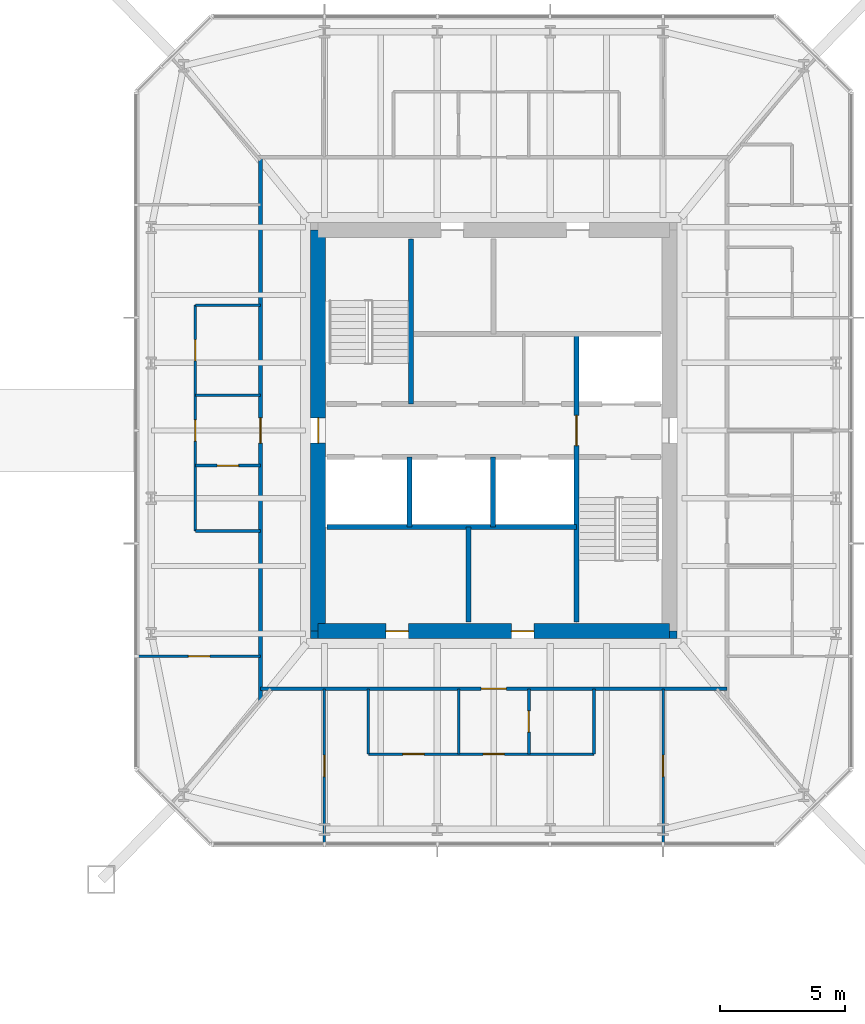
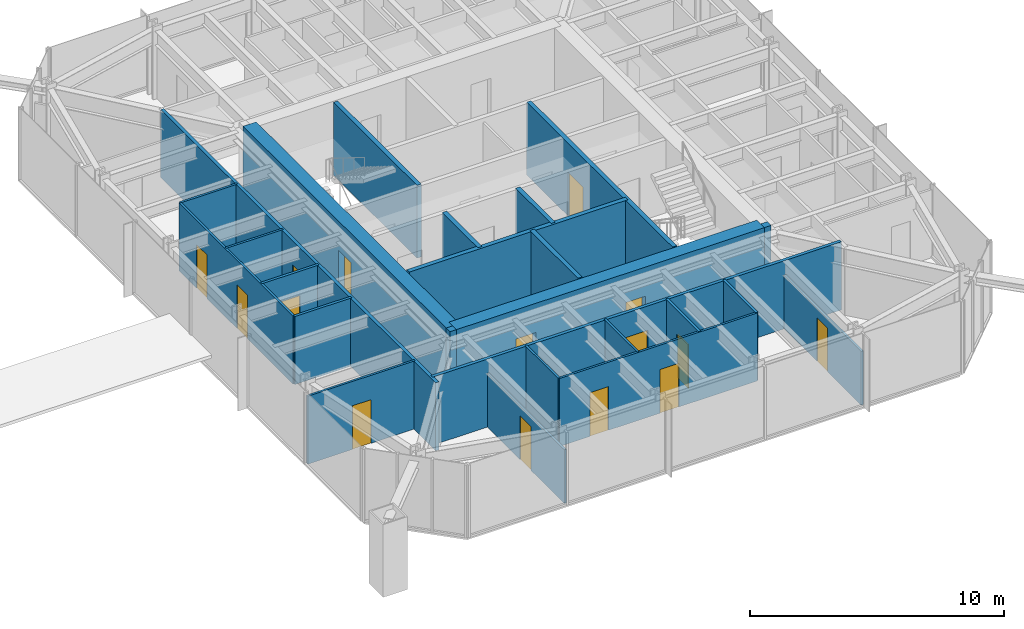
# One storey, part 17 of 25: 25 walls, 15 doors, 15 openings.
"""IFC4 building model written with IfcOpenShell, lengths in metres."""

import ifcopenshell
import ifcopenshell.guid

model = None  # the IFC model being written
_history = None  # IfcOwnerHistory: only IFC2X3 demands one
_inside = {}  # id of a spatial element -> (the spatial element, [elements in it])
_under = {}  # id of a project, library or spatial element -> (it, [spatial elements below it])
_declared = {}  # id of a project -> (the project, [libraries it declares])
_typed = {}  # id of a type object -> (the type object, [elements of that type])
_made_of = {}  # id of a material, layer set ... -> (it, [elements and type objects made of it])


def new_model(schema):
    """Start an empty IFC model of exactly this schema.

    Asked for "IFC4X3", IfcOpenShell would pick the latest addendum, in which some entities
    have other attributes; the version numbers below select the first issue.
    IFC2X3 requires an IfcOwnerHistory on every rooted entity: one is made here for all.
    """
    global model, _history
    if schema == "IFC4X3":
        model = ifcopenshell.file(schema_version=(4, 3, 0, 0))
    else:
        model = ifcopenshell.file(schema=schema)
    _inside.clear()
    _under.clear()
    _declared.clear()
    _typed.clear()
    _made_of.clear()
    _history = None
    if model.schema == "IFC2X3":
        org = make("IfcOrganization", Name="unknown")
        user = make(
            "IfcPersonAndOrganization",
            ThePerson=make("IfcPerson", FamilyName="unknown"),
            TheOrganization=org,
        )
        app = make(
            "IfcApplication",
            ApplicationDeveloper=org,
            Version="unknown",
            ApplicationFullName="unknown",
            ApplicationIdentifier="unknown",
        )
        _history = make(
            "IfcOwnerHistory",
            OwningUser=user,
            OwningApplication=app,
            ChangeAction="ADDED",
            CreationDate=0,
        )
    return model


def make(cls, **values):
    """One entity of the class cls with the attributes given. An attribute that is None is left unset."""
    return model.create_entity(
        cls, **{name: value for name, value in values.items() if value is not None}
    )


def rooted(cls, **values):
    """An entity with a GlobalId (a new one), such as an element, a storey or a relation."""
    return make(cls, GlobalId=ifcopenshell.guid.new(), OwnerHistory=_history, **values)


def si_unit(unit_type, name, prefix=None):
    """IfcSIUnit, for example si_unit("LENGTHUNIT", "METRE", prefix="MILLI")."""
    return make("IfcSIUnit", UnitType=unit_type, Prefix=prefix, Name=name)


def assignment(units):
    """IfcUnitAssignment: the units of a project."""
    return None if units is None else make("IfcUnitAssignment", Units=units)


def point(xyz):
    """IfcCartesianPoint."""
    return None if xyz is None else make("IfcCartesianPoint", Coordinates=xyz)


def direction(xyz):
    """IfcDirection."""
    return None if xyz is None else make("IfcDirection", DirectionRatios=xyz)


def frame(location, z_axis=None, x_axis=None):
    """IfcAxis2Placement3D, a coordinate frame: its origin and axes. An axis left out is left unset."""
    return make(
        "IfcAxis2Placement3D",
        Location=point(location),
        Axis=direction(z_axis),
        RefDirection=direction(x_axis),
    )


def frame_2d(location, x_axis=None):
    """IfcAxis2Placement2D, a coordinate frame in the plane: its origin and x axis."""
    return make(
        "IfcAxis2Placement2D", Location=point(location), RefDirection=direction(x_axis)
    )


def origin():
    """The frame at (0, 0, 0) with its axes left unset."""
    return frame((0.0, 0.0, 0.0))


def place(relative_to, where):
    """IfcLocalPlacement: puts the frame where relative to a parent placement (None: the world)."""
    return make(
        "IfcLocalPlacement", PlacementRelTo=relative_to, RelativePlacement=where
    )


def context(
    kind, dimensions, precision=None, world=None, true_north=None, identifier=None
):
    """IfcGeometricRepresentationContext, for example the 3D "Model" context."""
    return make(
        "IfcGeometricRepresentationContext",
        ContextIdentifier=identifier,
        ContextType=kind,
        CoordinateSpaceDimension=dimensions,
        Precision=precision,
        WorldCoordinateSystem=world,
        TrueNorth=true_north,
    )


def subcontext(parent, identifier, kind, view, scale=None):
    """IfcGeometricRepresentationSubContext, for example "Body" below "Model"."""
    return make(
        "IfcGeometricRepresentationSubContext",
        ContextIdentifier=identifier,
        ContextType=kind,
        ParentContext=parent,
        TargetScale=scale,
        TargetView=view,
    )


def project(units=None, contexts=None):
    """IfcProject with its units and contexts."""
    return rooted(
        "IfcProject",
        Name="project",
        RepresentationContexts=contexts,
        UnitsInContext=assignment(units),
    )


def spatial(cls, under=None, at=None, **own):
    """A site, building, storey or space (cls), placed at a placement, below another one or the project."""
    s = rooted(cls, ObjectPlacement=at, **own)
    if under is not None:
        _under.setdefault(under.id(), (under, []))[1].append(s)
    return s


def profile(cls, at=None, kind="AREA", **sizes):
    """A parametric profile (cls). Its sizes go by their IFC names, for example OverallWidth=200.0."""
    return make(cls, ProfileType=kind, Position=at, **sizes)


def rectangle(**sizes):
    """IfcRectangleProfileDef."""
    return profile("IfcRectangleProfileDef", **sizes)


def extrude(swept, where, along, depth):
    """IfcExtrudedAreaSolid: the profile swept, set in the frame where, extruded along a direction by depth."""
    return make(
        "IfcExtrudedAreaSolid",
        SweptArea=swept,
        Position=where,
        ExtrudedDirection=direction(along),
        Depth=depth,
    )


def shape(context_of_items, identifier, shape_type, items):
    """IfcShapeRepresentation: the items that make up one representation, for example the "Body"."""
    return make(
        "IfcShapeRepresentation",
        ContextOfItems=context_of_items,
        RepresentationIdentifier=identifier,
        RepresentationType=shape_type,
        Items=items,
    )


def material(Name=None, Category=None):
    """IfcMaterial."""
    return make("IfcMaterial", Name=Name, Category=Category)


def layer(
    of_material, thickness, ventilated=None, Name=None, Category=None, Priority=None
):
    """IfcMaterialLayer: one layer of a wall or slab, of a material (None: an air gap)."""
    return make(
        "IfcMaterialLayer",
        Material=of_material,
        LayerThickness=thickness,
        IsVentilated=ventilated,
        Name=Name,
        Category=Category,
        Priority=Priority,
    )


def layer_set(layers, Name=None):
    """IfcMaterialLayerSet."""
    return make("IfcMaterialLayerSet", MaterialLayers=layers, LayerSetName=Name)


def made_of(thing, what):
    """Note that an element or type object is made of a material, layer set ...; save() writes the relation."""
    if what is not None:
        _made_of.setdefault(what.id(), (what, []))[1].append(thing)
    return thing


def type_object(cls, material=None, **own):
    """A type object (cls), such as IfcWallType, which elements share."""
    return made_of(rooted(cls, **own), material)


def element(
    cls,
    number,
    at=None,
    inside=None,
    cuts=None,
    type_object=None,
    material=None,
    context=None,
    identifier="Body",
    shape_type=None,
    held_by="IfcProductDefinitionShape",
    body=None,
    shapes=None,
    **own,
):
    """One element of the class cls, such as IfcWall. Its Tag is "e" and its number.

    at: its placement. inside: the storey or other place that contains it. cuts: it is an
    opening in that element (IfcRelVoidsElement). A single representation is given by context,
    identifier, shape_type and body (its items); several are given by shapes. held_by: the class
    of the entity that holds the representations. save() writes the other relations.
    """
    e = rooted(cls, Tag="e%d" % number, ObjectPlacement=at, **own)
    if body is not None:
        shapes = [shape(context, identifier, shape_type, body)]
    if shapes is not None:
        e.Representation = make(held_by, Representations=shapes)
    if inside is not None:
        _inside.setdefault(inside.id(), (inside, []))[1].append(e)
    if cuts is not None:
        rooted(
            "IfcRelVoidsElement", RelatingBuildingElement=cuts, RelatedOpeningElement=e
        )
    if type_object is not None:
        _typed.setdefault(type_object.id(), (type_object, []))[1].append(e)
    return made_of(e, material)


def fill(opening, filler):
    """IfcRelFillsElement: the door or window that sits in an opening."""
    return rooted(
        "IfcRelFillsElement",
        RelatingOpeningElement=opening,
        RelatedBuildingElement=filler,
    )


def aggregate(whole, parts):
    """IfcRelAggregates: a whole, such as a stair, and the parts it consists of."""
    return rooted("IfcRelAggregates", RelatingObject=whole, RelatedObjects=parts)


def save(model, path):
    """Write the relations noted so far, then the file.

    IfcRelAggregates (storeys below a building ...), IfcRelContainedInSpatialStructure (elements
    in a storey), IfcRelDefinesByType, IfcRelAssociatesMaterial and IfcRelDeclares: one each for
    every whole, place, type object, material and project.
    """
    for whole, parts in _under.values():
        aggregate(whole, parts)
    for where, things in _inside.values():
        rooted(
            "IfcRelContainedInSpatialStructure",
            RelatedElements=things,
            RelatingStructure=where,
        )
    for kind, things in _typed.values():
        rooted("IfcRelDefinesByType", RelatedObjects=things, RelatingType=kind)
    for what, things in _made_of.values():
        rooted("IfcRelAssociatesMaterial", RelatedObjects=things, RelatingMaterial=what)
    for by, libraries in _declared.values():
        rooted("IfcRelDeclares", RelatingContext=by, RelatedDefinitions=libraries)
    model.write(path)


model = new_model("IFC4")

# Units and contexts
model_context = context("Model", 3, precision=1e-05, world=origin(), true_north=direction((0.0, 1.0)))
body_context = subcontext(model_context, "Body", "Model", "MODEL_VIEW")
ifc_project = project(units=[si_unit("LENGTHUNIT", "METRE"), si_unit("AREAUNIT", "SQUARE_METRE"), si_unit("VOLUMEUNIT", "CUBIC_METRE"), si_unit("PLANEANGLEUNIT", "RADIAN"), si_unit("MASSUNIT", "GRAM", prefix="KILO")], contexts=[model_context])

# Site, building, storey
site_placement = place(None, origin())
site = spatial("IfcSite", under=ifc_project, at=site_placement, CompositionType="ELEMENT")
building_placement = place(site_placement, origin())
building = spatial("IfcBuilding", under=site, at=building_placement, Name="Iwan Alto Co-Living Towers", CompositionType="ELEMENT")
storey_placement = place(building_placement, frame((0.0, 0.0, 101.5)))
storey = spatial("IfcBuildingStorey", under=building, at=storey_placement, Name="L27", CompositionType="ELEMENT", Elevation=101.5)

# Wall, opening, door
ifc_material_1 = material(Name="Gypsum board")
ifc_layer_1 = layer(ifc_material_1, 0.02490234375, Name="Board", Category="Finish")
ifc_material_2 = material(Name="Steel ASTM A1003 ST33H cold-formed studs", Category="steel")
ifc_layer_2 = layer(ifc_material_2, 0.10009765625, Name="Studs", Category="Framing")
ifc_layer_3 = layer(ifc_material_1, 0.02490234375, Name="Board", Category="Finish")
ifc_layer_set_1 = layer_set([ifc_layer_1, ifc_layer_2, ifc_layer_3], Name="CORRIDOR WALL 150")
wall_type_1 = type_object("IfcWallType", Name="CORRIDOR WALL 150", PredefinedType="PARTITIONING", material=ifc_layer_set_1)
wall_1_placement = place(storey_placement, frame((53.699951171875, -10.300048828125, 0.0), z_axis=(0.0, 0.0, 1.0), x_axis=(1.0, 0.0, 0.0)))
wall_1 = element("IfcWall", 1, at=wall_1_placement, inside=storey, type_object=wall_type_1, Name="Partition L27", PredefinedType="PARTITIONING", context=body_context, shape_type="SweptSolid", body=[
    extrude(rectangle(XDim=18.60009765625, YDim=0.14990234375, at=frame_2d((9.300048828125, 0.0))), origin(), (0.0, 0.0, 1.0), 3.27001953125),
])
opening_1_placement = place(wall_1_placement, frame((8.800048828125, 0.0, 0.0)))
opening_1 = element("IfcOpeningElement", 2, at=opening_1_placement, cuts=wall_1, Name="Opening D3", PredefinedType="OPENING", context=body_context, shape_type="SweptSolid", body=[
    extrude(rectangle(XDim=1.0, YDim=2.10009765625, at=frame_2d((0.5, 1.050048828125))), frame((0.0, 0.0849609375, 0.0), z_axis=(0.0, -1.0, 0.0), x_axis=(1.0, 0.0, 0.0)), (0.0, 0.0, 1.0), 0.169921875),
])
ifc_material_3 = material(Name="Steel frame with timber leaf", Category="steel")
door_type_1 = type_object("IfcDoorType", Name="FLAT ENTRANCE DOOR FD30S 1000X2100", OperationType="SINGLE_SWING_LEFT", PredefinedType="DOOR", material=ifc_material_3)
door_1_placement = place(opening_1_placement, frame((1.0, 0.0, 0.0), z_axis=(0.0, 0.0, 1.0), x_axis=(-1.0, 0.0, 0.0)))
door_1 = element("IfcDoor", 3, at=door_1_placement, inside=storey, type_object=door_type_1, Name="Apartment foyer door L27", OperationType="SINGLE_SWING_RIGHT", OverallHeight=2.10009765625, OverallWidth=1.0, PredefinedType="DOOR", context=body_context, shape_type="SweptSolid", body=[
    extrude(rectangle(XDim=1.0, YDim=2.10009765625, at=frame_2d((0.5, 1.050048828125))), frame((0.0, 0.02490234375, 0.0), z_axis=(0.0, -1.0, 0.0), x_axis=(1.0, 0.0, 0.0)), (0.0, 0.0, 1.0), 0.050048828125),
])
fill(opening_1, door_1)

wall_2_placement = place(storey_placement, frame((53.699951171875, -10.76806640625, 0.0), z_axis=(0.0, 0.0, 1.0), x_axis=(0.0, 1.0, 0.0)))
wall_2 = element("IfcWall", 4, at=wall_2_placement, inside=storey, type_object=wall_type_1, Name="Partition L27", PredefinedType="PARTITIONING", context=body_context, shape_type="SweptSolid", body=[
    extrude(rectangle(XDim=21.66796875, YDim=0.14990234375, at=frame_2d((10.833984375, 0.0))), origin(), (0.0, 0.0, 1.0), 3.27001953125),
])
opening_2_placement = place(wall_2_placement, frame((10.26806640625, 0.0, 0.0)))
opening_2 = element("IfcOpeningElement", 5, at=opening_2_placement, cuts=wall_2, Name="Opening D3", PredefinedType="OPENING", context=body_context, shape_type="SweptSolid", body=[
    extrude(rectangle(XDim=1.0, YDim=2.10009765625, at=frame_2d((0.5, 1.050048828125))), frame((0.0, 0.0849609375, 0.0), z_axis=(0.0, -1.0, 0.0), x_axis=(1.0, 0.0, 0.0)), (0.0, 0.0, 1.0), 0.169921875),
])
door_2_placement = place(opening_2_placement, origin())
door_2 = element("IfcDoor", 6, at=door_2_placement, inside=storey, type_object=door_type_1, Name="Apartment foyer door L27", OperationType="SINGLE_SWING_LEFT", OverallHeight=2.10009765625, OverallWidth=1.0, PredefinedType="DOOR", context=body_context, shape_type="SweptSolid", body=[
    extrude(rectangle(XDim=1.0, YDim=2.10009765625, at=frame_2d((0.5, 1.050048828125))), frame((0.0, 0.02490234375, 0.0), z_axis=(0.0, -1.0, 0.0), x_axis=(1.0, 0.0, 0.0)), (0.0, 0.0, 1.0), 0.050048828125),
])
fill(opening_2, door_2)

# Wall, openings, doors
ifc_layer_4 = layer(ifc_material_1, 0.012451171875, Name="Board", Category="Finish")
ifc_layer_5 = layer(ifc_material_2, 0.074951171875, Name="Studs", Category="Framing")
ifc_layer_6 = layer(ifc_material_1, 0.012451171875, Name="Board", Category="Finish")
ifc_layer_set_2 = layer_set([ifc_layer_4, ifc_layer_5, ifc_layer_6], Name="PARTITION 100")
wall_type_2 = type_object("IfcWallType", Name="PARTITION 100", PredefinedType="PARTITIONING", material=ifc_layer_set_2)
wall_3_placement = place(storey_placement, frame((58.0, -12.89990234375, 0.0), z_axis=(0.0, 0.0, 1.0), x_axis=(1.0, 0.0, 0.0)))
wall_3 = element("IfcWall", 7, at=wall_3_placement, inside=storey, type_object=wall_type_2, Name="Partition L27", PredefinedType="PARTITIONING", context=body_context, shape_type="SweptSolid", body=[
    extrude(rectangle(XDim=9.0, YDim=0.10009765625, at=frame_2d((4.5, 0.0))), origin(), (0.0, 0.0, 1.0), 3.27001953125),
])
opening_3_placement = place(wall_3_placement, frame((1.375, 0.0, 0.0)))
opening_3 = element("IfcOpeningElement", 8, at=opening_3_placement, cuts=wall_3, Name="Opening D2", PredefinedType="OPENING", context=body_context, shape_type="SweptSolid", body=[
    extrude(rectangle(XDim=0.85009765625, YDim=2.10009765625, at=frame_2d((0.425048828125, 1.050048828125))), frame((0.0, 0.06005859375, 0.0), z_axis=(0.0, -1.0, 0.0), x_axis=(1.0, 0.0, 0.0)), (0.0, 0.0, 1.0), 0.1201171875),
])
opening_4_placement = place(wall_3_placement, frame((4.574951171875, 0.0, 0.0)))
opening_4 = element("IfcOpeningElement", 9, at=opening_4_placement, cuts=wall_3, Name="Opening D2", PredefinedType="OPENING", context=body_context, shape_type="SweptSolid", body=[
    extrude(rectangle(XDim=0.85009765625, YDim=2.10009765625, at=frame_2d((0.425048828125, 1.050048828125))), frame((0.0, 0.06005859375, 0.0), z_axis=(0.0, -1.0, 0.0), x_axis=(1.0, 0.0, 0.0)), (0.0, 0.0, 1.0), 0.1201171875),
])
ifc_material_4 = material(Name="Timber leaf in steel frame", Category="steel")
door_type_2 = type_object("IfcDoorType", Name="ROOM DOOR 850X2100", OperationType="SINGLE_SWING_LEFT", PredefinedType="DOOR", material=ifc_material_4)
door_3_placement = place(opening_3_placement, frame((0.85009765625, 0.0, 0.0), z_axis=(0.0, 0.0, 1.0), x_axis=(-1.0, 0.0, 0.0)))
door_3 = element("IfcDoor", 10, at=door_3_placement, inside=storey, type_object=door_type_2, Name="Kitchen door L27", OperationType="SINGLE_SWING_RIGHT", OverallHeight=2.10009765625, OverallWidth=0.85009765625, PredefinedType="DOOR", context=body_context, shape_type="SweptSolid", body=[
    extrude(rectangle(XDim=0.85009765625, YDim=2.10009765625, at=frame_2d((0.425048828125, 1.050048828125))), frame((0.0, 0.02490234375, 0.0), z_axis=(0.0, -1.0, 0.0), x_axis=(1.0, 0.0, 0.0)), (0.0, 0.0, 1.0), 0.050048828125),
])
fill(opening_3, door_3)
door_4_placement = place(opening_4_placement, frame((0.85009765625, 0.0, 0.0), z_axis=(0.0, 0.0, 1.0), x_axis=(-1.0, 0.0, 0.0)))
door_4 = element("IfcDoor", 11, at=door_4_placement, inside=storey, type_object=door_type_2, Name="Apartment foyer door L27", OperationType="SINGLE_SWING_RIGHT", OverallHeight=2.10009765625, OverallWidth=0.85009765625, PredefinedType="DOOR", context=body_context, shape_type="SweptSolid", body=[
    extrude(rectangle(XDim=0.85009765625, YDim=2.10009765625, at=frame_2d((0.425048828125, 1.050048828125))), frame((0.0, 0.02490234375, 0.0), z_axis=(0.0, -1.0, 0.0), x_axis=(1.0, 0.0, 0.0)), (0.0, 0.0, 1.0), 0.050048828125),
])
fill(opening_4, door_4)

# Wall, opening, door
wall_4_placement = place(storey_placement, frame((48.81005859375, -9.0, 0.0), z_axis=(0.0, 0.0, 1.0), x_axis=(1.0, 0.0, 0.0)))
wall_4 = element("IfcWall", 12, at=wall_4_placement, inside=storey, type_object=wall_type_2, Name="Partition L27", PredefinedType="PARTITIONING", context=body_context, shape_type="SweptSolid", body=[
    extrude(rectangle(XDim=4.889892578125, YDim=0.10009765625, at=frame_2d((2.44482421875, 0.0))), origin(), (0.0, 0.0, 1.0), 3.27001953125),
])
opening_5_placement = place(wall_4_placement, frame((2.02001953125, 0.0, 0.0)))
opening_5 = element("IfcOpeningElement", 13, at=opening_5_placement, cuts=wall_4, Name="Opening D2", PredefinedType="OPENING", context=body_context, shape_type="SweptSolid", body=[
    extrude(rectangle(XDim=0.85009765625, YDim=2.10009765625, at=frame_2d((0.425048828125, 1.050048828125))), frame((0.0, 0.06005859375, 0.0), z_axis=(0.0, -1.0, 0.0), x_axis=(1.0, 0.0, 0.0)), (0.0, 0.0, 1.0), 0.1201171875),
])
door_5_placement = place(opening_5_placement, origin())
door_5 = element("IfcDoor", 14, at=door_5_placement, inside=storey, type_object=door_type_2, Name="Bedroom door L27", OperationType="SINGLE_SWING_RIGHT", OverallHeight=2.10009765625, OverallWidth=0.85009765625, PredefinedType="DOOR", context=body_context, shape_type="SweptSolid", body=[
    extrude(rectangle(XDim=0.85009765625, YDim=2.10009765625, at=frame_2d((0.425048828125, 1.050048828125))), frame((0.0, 0.02490234375, 0.0), z_axis=(0.0, -1.0, 0.0), x_axis=(1.0, 0.0, 0.0)), (0.0, 0.0, 1.0), 0.050048828125),
])
fill(opening_5, door_5)

# Walls
for number, where, z_axis, x_axis, name in (
    (15, (51.10009765625, 1.39990234375, 0.0), (0.0, 0.0, 1.0), (1.0, 0.0, 0.0), "Partition L27"),
    (16, (51.10009765625, 5.0, 0.0), (0.0, 0.0, 1.0), (1.0, 0.0, 0.0), "Partition L27"),
):
    element("IfcWall", number, at=place(storey_placement, frame(where, z_axis=z_axis, x_axis=x_axis)), inside=storey, type_object=wall_type_2, Name=name, PredefinedType="PARTITIONING", context=body_context, shape_type="SweptSolid", body=[
        extrude(rectangle(XDim=2.599853515625, YDim=0.10009765625, at=frame_2d((1.2998046875, 0.0))), origin(), (0.0, 0.0, 1.0), 3.27001953125),
    ])

# Wall, opening, door
wall_5_placement = place(storey_placement, frame((69.75, -16.43994140625, 0.0), z_axis=(0.0, 0.0, 1.0), x_axis=(0.0, 1.0, 0.0)))
wall_5 = element("IfcWall", 17, at=wall_5_placement, inside=storey, type_object=wall_type_2, Name="Partition L27", PredefinedType="PARTITIONING", context=body_context, shape_type="SweptSolid", body=[
    extrude(rectangle(XDim=6.139892578125, YDim=0.10009765625, at=frame_2d((3.06982421875, 0.0))), origin(), (0.0, 0.0, 1.0), 2.586669921875),
])
opening_6_placement = place(wall_5_placement, frame((2.64501953125, 0.0, 0.0)))
opening_6 = element("IfcOpeningElement", 18, at=opening_6_placement, cuts=wall_5, Name="Opening D2", PredefinedType="OPENING", context=body_context, shape_type="SweptSolid", body=[
    extrude(rectangle(XDim=0.85009765625, YDim=2.10009765625, at=frame_2d((0.425048828125, 1.050048828125))), frame((0.0, 0.06005859375, 0.0), z_axis=(0.0, -1.0, 0.0), x_axis=(1.0, 0.0, 0.0)), (0.0, 0.0, 1.0), 0.1201171875),
])
door_6_placement = place(opening_6_placement, origin())
door_6 = element("IfcDoor", 19, at=door_6_placement, inside=storey, type_object=door_type_2, Name="Bedroom door L27", OperationType="SINGLE_SWING_RIGHT", OverallHeight=2.10009765625, OverallWidth=0.85009765625, PredefinedType="DOOR", context=body_context, shape_type="SweptSolid", body=[
    extrude(rectangle(XDim=0.85009765625, YDim=2.10009765625, at=frame_2d((0.425048828125, 1.050048828125))), frame((0.0, 0.02490234375, 0.0), z_axis=(0.0, -1.0, 0.0), x_axis=(1.0, 0.0, 0.0)), (0.0, 0.0, 1.0), 0.050048828125),
])
fill(opening_6, door_6)

# Walls
for number, where, z_axis, x_axis, name in (
    (20, (61.60009765625, -12.89990234375, 0.0), (0.0, 0.0, 1.0), (0.0, 1.0, 0.0), "Partition L27"),
    (21, (58.0, -12.89990234375, 0.0), (0.0, 0.0, 1.0), (0.0, 1.0, 0.0), "Partition L27"),
):
    element("IfcWall", number, at=place(storey_placement, frame(where, z_axis=z_axis, x_axis=x_axis)), inside=storey, type_object=wall_type_2, Name=name, PredefinedType="PARTITIONING", context=body_context, shape_type="SweptSolid", body=[
        extrude(rectangle(XDim=2.599853515625, YDim=0.10009765625, at=frame_2d((1.2998046875, 0.0))), origin(), (0.0, 0.0, 1.0), 3.27001953125),
    ])

# Wall, opening, door
wall_6_placement = place(storey_placement, frame((56.25, -16.43994140625, 0.0), z_axis=(0.0, 0.0, 1.0), x_axis=(0.0, 1.0, 0.0)))
wall_6 = element("IfcWall", 22, at=wall_6_placement, inside=storey, type_object=wall_type_2, Name="Partition L27", PredefinedType="PARTITIONING", context=body_context, shape_type="SweptSolid", body=[
    extrude(rectangle(XDim=6.139892578125, YDim=0.10009765625, at=frame_2d((3.06982421875, 0.0))), origin(), (0.0, 0.0, 1.0), 2.586669921875),
])
opening_7_placement = place(wall_6_placement, frame((2.64501953125, 0.0, 0.0)))
opening_7 = element("IfcOpeningElement", 23, at=opening_7_placement, cuts=wall_6, Name="Opening D2", PredefinedType="OPENING", context=body_context, shape_type="SweptSolid", body=[
    extrude(rectangle(XDim=0.85009765625, YDim=2.10009765625, at=frame_2d((0.425048828125, 1.050048828125))), frame((0.0, 0.06005859375, 0.0), z_axis=(0.0, -1.0, 0.0), x_axis=(1.0, 0.0, 0.0)), (0.0, 0.0, 1.0), 0.1201171875),
])
door_7_placement = place(opening_7_placement, frame((0.85009765625, 0.0, 0.0), z_axis=(0.0, 0.0, 1.0), x_axis=(-1.0, 0.0, 0.0)))
door_7 = element("IfcDoor", 24, at=door_7_placement, inside=storey, type_object=door_type_2, Name="Bedroom door L27", OperationType="SINGLE_SWING_LEFT", OverallHeight=2.10009765625, OverallWidth=0.85009765625, PredefinedType="DOOR", context=body_context, shape_type="SweptSolid", body=[
    extrude(rectangle(XDim=0.85009765625, YDim=2.10009765625, at=frame_2d((0.425048828125, 1.050048828125))), frame((0.0, 0.02490234375, 0.0), z_axis=(0.0, -1.0, 0.0), x_axis=(1.0, 0.0, 0.0)), (0.0, 0.0, 1.0), 0.050048828125),
])
fill(opening_7, door_7)

# Wall, openings, doors
wall_7_placement = place(storey_placement, frame((51.10009765625, -4.0, 0.0), z_axis=(0.0, 0.0, 1.0), x_axis=(0.0, 1.0, 0.0)))
wall_7 = element("IfcWall", 25, at=wall_7_placement, inside=storey, type_object=wall_type_2, Name="Partition L27", PredefinedType="PARTITIONING", context=body_context, shape_type="SweptSolid", body=[
    extrude(rectangle(XDim=9.0, YDim=0.10009765625, at=frame_2d((4.5, 0.0))), origin(), (0.0, 0.0, 1.0), 3.27001953125),
])
opening_8_placement = place(wall_7_placement, frame((6.77490234375, 0.0, 0.0)))
opening_8 = element("IfcOpeningElement", 26, at=opening_8_placement, cuts=wall_7, Name="Opening D2", PredefinedType="OPENING", context=body_context, shape_type="SweptSolid", body=[
    extrude(rectangle(XDim=0.85009765625, YDim=2.10009765625, at=frame_2d((0.425048828125, 1.050048828125))), frame((0.0, 0.06005859375, 0.0), z_axis=(0.0, -1.0, 0.0), x_axis=(1.0, 0.0, 0.0)), (0.0, 0.0, 1.0), 0.1201171875),
])
opening_9_placement = place(wall_7_placement, frame((3.574951171875, 0.0, 0.0)))
opening_9 = element("IfcOpeningElement", 27, at=opening_9_placement, cuts=wall_7, Name="Opening D2", PredefinedType="OPENING", context=body_context, shape_type="SweptSolid", body=[
    extrude(rectangle(XDim=0.85009765625, YDim=2.10009765625, at=frame_2d((0.425048828125, 1.050048828125))), frame((0.0, 0.06005859375, 0.0), z_axis=(0.0, -1.0, 0.0), x_axis=(1.0, 0.0, 0.0)), (0.0, 0.0, 1.0), 0.1201171875),
])
door_8_placement = place(opening_8_placement, origin())
door_8 = element("IfcDoor", 28, at=door_8_placement, inside=storey, type_object=door_type_2, Name="Kitchen door L27", OperationType="SINGLE_SWING_RIGHT", OverallHeight=2.10009765625, OverallWidth=0.85009765625, PredefinedType="DOOR", context=body_context, shape_type="SweptSolid", body=[
    extrude(rectangle(XDim=0.85009765625, YDim=2.10009765625, at=frame_2d((0.425048828125, 1.050048828125))), frame((0.0, 0.02490234375, 0.0), z_axis=(0.0, -1.0, 0.0), x_axis=(1.0, 0.0, 0.0)), (0.0, 0.0, 1.0), 0.050048828125),
])
fill(opening_8, door_8)
door_9_placement = place(opening_9_placement, origin())
door_9 = element("IfcDoor", 29, at=door_9_placement, inside=storey, type_object=door_type_2, Name="Apartment foyer door L27", OperationType="SINGLE_SWING_LEFT", OverallHeight=2.10009765625, OverallWidth=0.85009765625, PredefinedType="DOOR", context=body_context, shape_type="SweptSolid", body=[
    extrude(rectangle(XDim=0.85009765625, YDim=2.10009765625, at=frame_2d((0.425048828125, 1.050048828125))), frame((0.0, 0.02490234375, 0.0), z_axis=(0.0, -1.0, 0.0), x_axis=(1.0, 0.0, 0.0)), (0.0, 0.0, 1.0), 0.050048828125),
])
fill(opening_9, door_9)

# Wall
ifc_material_5 = material(Name="Concrete f'c 70 MPa", Category="concrete")
ifc_layer_7 = layer(ifc_material_5, 0.199951171875)
ifc_layer_set_3 = layer_set([ifc_layer_7], Name="SHAFT WALL 200")
wall_type_3 = type_object("IfcWallType", Name="SHAFT WALL 200", PredefinedType="SOLIDWALL", material=ifc_layer_set_3)
wall_8_placement = place(storey_placement, frame((56.360107421875, -3.85009765625, 0.0), z_axis=(0.0, 0.0, 1.0), x_axis=(1.0, 0.0, 0.0)))
element("IfcWall", 30, at=wall_8_placement, inside=storey, type_object=wall_type_3, Name="Shaft wall L27", PredefinedType="SOLIDWALL", context=body_context, shape_type="SweptSolid", body=[
    extrude(rectangle(XDim=9.93994140625, YDim=0.199951171875, at=frame_2d((4.969970703125, 0.0))), origin(), (0.0, 0.0, 1.0), 3.5),
])

# Wall, opening, door
wall_9_placement = place(storey_placement, frame((66.300048828125, -7.639892578125, 0.0), z_axis=(0.0, 0.0, 1.0), x_axis=(0.0, 1.0, 0.0)))
wall_9 = element("IfcWall", 31, at=wall_9_placement, inside=storey, type_object=wall_type_3, Name="Shaft wall L27", PredefinedType="SOLIDWALL", context=body_context, shape_type="SweptSolid", body=[
    extrude(rectangle(XDim=11.489990234375, YDim=0.199951171875, at=frame_2d((5.7451171875, 0.0))), origin(), (0.0, 0.0, 1.0), 3.5),
])
opening_10_placement = place(wall_9_placement, frame((7.0400390625, 0.0, 0.0)))
opening_10 = element("IfcOpeningElement", 32, at=opening_10_placement, cuts=wall_9, Name="Opening D6", PredefinedType="OPENING", context=body_context, shape_type="SweptSolid", body=[
    extrude(rectangle(XDim=1.199951171875, YDim=2.10009765625, at=frame_2d((0.60009765625, 1.050048828125))), frame((0.0, 0.10986328125, 0.0), z_axis=(0.0, -1.0, 0.0), x_axis=(1.0, 0.0, 0.0)), (0.0, 0.0, 1.0), 0.219970703125),
])
ifc_material_6 = material(Name="Steel frame with timber leaf", Category="steel")
door_type_3 = type_object("IfcDoorType", Name="LOBBY DOOR FD120S 1200X2100", OperationType="SINGLE_SWING_LEFT", PredefinedType="DOOR", material=ifc_material_6)
door_10_placement = place(opening_10_placement, frame((1.199951171875, 0.0, 0.0), z_axis=(0.0, 0.0, 1.0), x_axis=(-1.0, 0.0, 0.0)))
door_10 = element("IfcDoor", 33, at=door_10_placement, inside=storey, type_object=door_type_3, Name="Firefighting lobby door L27", OperationType="SINGLE_SWING_RIGHT", OverallHeight=2.10009765625, OverallWidth=1.199951171875, PredefinedType="DOOR", context=body_context, shape_type="SweptSolid", body=[
    extrude(rectangle(XDim=1.199951171875, YDim=2.10009765625, at=frame_2d((0.60009765625, 1.050048828125))), frame((0.0, 0.02490234375, 0.0), z_axis=(0.0, -1.0, 0.0), x_axis=(1.0, 0.0, 0.0)), (0.0, 0.0, 1.0), 0.050048828125),
])
fill(opening_10, door_10)

# Walls
wall_10_placement = place(storey_placement, frame((62.967041015625, -3.85009765625, 0.0), z_axis=(0.0, 0.0, 1.0), x_axis=(0.0, 1.0, 0.0)))
element("IfcWall", 34, at=wall_10_placement, inside=storey, type_object=wall_type_3, Name="Shaft wall L27", PredefinedType="SOLIDWALL", context=body_context, shape_type="SweptSolid", body=[
    extrude(rectangle(XDim=2.800048828125, YDim=0.199951171875, at=frame_2d((1.39990234375, 0.0))), origin(), (0.0, 0.0, 1.0), 3.5),
])
wall_11_placement = place(storey_placement, frame((62.0, -7.639892578125, 0.0), z_axis=(0.0, 0.0, 1.0), x_axis=(0.0, 1.0, 0.0)))
element("IfcWall", 35, at=wall_11_placement, inside=storey, type_object=wall_type_3, Name="Shaft wall L27", PredefinedType="SOLIDWALL", context=body_context, shape_type="SweptSolid", body=[
    extrude(rectangle(XDim=3.789794921875, YDim=0.199951171875, at=frame_2d((1.89501953125, 0.0))), origin(), (0.0, 0.0, 1.0), 3.5),
])
wall_12_placement = place(storey_placement, frame((59.699951171875, 1.050048828125, 0.0), z_axis=(0.0, 0.0, 1.0), x_axis=(0.0, 1.0, 0.0)))
element("IfcWall", 36, at=wall_12_placement, inside=storey, type_object=wall_type_3, Name="Shaft wall L27", PredefinedType="SOLIDWALL", context=body_context, shape_type="SweptSolid", body=[
    extrude(rectangle(XDim=6.58984375, YDim=0.199951171875, at=frame_2d((3.294921875, 0.0))), origin(), (0.0, 0.0, 1.0), 3.5),
])
wall_13_placement = place(storey_placement, frame((59.633056640625, -3.85009765625, 0.0), z_axis=(0.0, 0.0, 1.0), x_axis=(0.0, 1.0, 0.0)))
element("IfcWall", 37, at=wall_13_placement, inside=storey, type_object=wall_type_3, Name="Shaft wall L27", PredefinedType="SOLIDWALL", context=body_context, shape_type="SweptSolid", body=[
    extrude(rectangle(XDim=2.800048828125, YDim=0.199951171875, at=frame_2d((1.39990234375, 0.0))), origin(), (0.0, 0.0, 1.0), 3.5),
])
ifc_material_7 = material(Name="Concrete f'c 70 MPa", Category="concrete")
ifc_layer_8 = layer(ifc_material_7, 0.300048828125)
ifc_layer_set_4 = layer_set([ifc_layer_8], Name="T2 CORE CORNER FILL 300")
wall_type_4 = type_object("IfcWallType", Name="T2 CORE CORNER FILL 300", PredefinedType="SOLIDWALL", material=ifc_layer_set_4)
for number, where, z_axis, x_axis, name in (
    (38, (55.699951171875, -8.14990234375, 0.0), (0.0, 0.0, 1.0), (1.0, 0.0, 0.0), "T2 core corner SW L27"),
    (39, (70.0, -8.14990234375, 0.0), (0.0, 0.0, 1.0), (1.0, 0.0, 0.0), "T2 core corner SE L27"),
):
    element("IfcWall", number, at=place(storey_placement, frame(where, z_axis=z_axis, x_axis=x_axis)), inside=storey, type_object=wall_type_4, Name=name, PredefinedType="SOLIDWALL", context=body_context, shape_type="SweptSolid", body=[
        extrude(rectangle(XDim=0.300048828125, YDim=0.300048828125, at=frame_2d((0.14990234375, 0.0))), origin(), (0.0, 0.0, 1.0), 3.5),
    ])

# Wall, openings, doors
ifc_material_8 = material(Name="Concrete f'c 70 MPa", Category="concrete")
ifc_layer_9 = layer(ifc_material_8, 0.60009765625)
ifc_layer_set_5 = layer_set([ifc_layer_9], Name="T2 CORE WALL 600")
wall_type_5 = type_object("IfcWallType", Name="T2 CORE WALL 600", PredefinedType="SHEAR", material=ifc_layer_set_5)
wall_14_placement = place(storey_placement, frame((56.0, -8.0, 0.0), z_axis=(0.0, 0.0, 1.0), x_axis=(1.0, 0.0, 0.0)))
wall_14 = element("IfcWall", 40, at=wall_14_placement, inside=storey, type_object=wall_type_5, Name="T2 core wall S L27", PredefinedType="SHEAR", context=body_context, shape_type="SweptSolid", body=[
    extrude(rectangle(XDim=14.0, YDim=0.60009765625, at=frame_2d((7.0, 0.0))), origin(), (0.0, 0.0, 1.0), 3.5),
])
opening_11_placement = place(wall_14_placement, frame((2.699951171875, 0.0, 0.0)))
opening_11 = element("IfcOpeningElement", 41, at=opening_11_placement, cuts=wall_14, Name="Opening D8", PredefinedType="OPENING", context=body_context, shape_type="SweptSolid", body=[
    extrude(rectangle(XDim=0.89990234375, YDim=2.10009765625, at=frame_2d((0.449951171875, 1.050048828125))), frame((0.0, 0.31005859375, 0.0), z_axis=(0.0, -1.0, 0.0), x_axis=(1.0, 0.0, 0.0)), (0.0, 0.0, 1.0), 0.6201171875),
])
opening_12_placement = place(wall_14_placement, frame((7.699951171875, 0.0, 0.0)))
opening_12 = element("IfcOpeningElement", 42, at=opening_12_placement, cuts=wall_14, Name="Opening D8", PredefinedType="OPENING", context=body_context, shape_type="SweptSolid", body=[
    extrude(rectangle(XDim=0.89990234375, YDim=2.10009765625, at=frame_2d((0.449951171875, 1.050048828125))), frame((0.0, 0.31005859375, 0.0), z_axis=(0.0, -1.0, 0.0), x_axis=(1.0, 0.0, 0.0)), (0.0, 0.0, 1.0), 0.6201171875),
])
ifc_material_9 = material(Name="Steel frame with timber leaf", Category="steel")
door_type_4 = type_object("IfcDoorType", Name="RISER DOOR FD120 900X2100", OperationType="SINGLE_SWING_LEFT", PredefinedType="DOOR", material=ifc_material_9)
door_11_placement = place(opening_11_placement, origin())
door_11 = element("IfcDoor", 43, at=door_11_placement, inside=storey, type_object=door_type_4, Name="Refuse room core door L27", OperationType="SINGLE_SWING_LEFT", OverallHeight=2.10009765625, OverallWidth=0.89990234375, PredefinedType="DOOR", context=body_context, shape_type="SweptSolid", body=[
    extrude(rectangle(XDim=0.89990234375, YDim=2.10009765625, at=frame_2d((0.449951171875, 1.050048828125))), frame((0.0, 0.02490234375, 0.0), z_axis=(0.0, -1.0, 0.0), x_axis=(1.0, 0.0, 0.0)), (0.0, 0.0, 1.0), 0.050048828125),
])
fill(opening_11, door_11)
door_12_placement = place(opening_12_placement, origin())
door_12 = element("IfcDoor", 44, at=door_12_placement, inside=storey, type_object=door_type_4, Name="Telecom riser core door L27", OperationType="SINGLE_SWING_LEFT", OverallHeight=2.10009765625, OverallWidth=0.89990234375, PredefinedType="DOOR", context=body_context, shape_type="SweptSolid", body=[
    extrude(rectangle(XDim=0.89990234375, YDim=2.10009765625, at=frame_2d((0.449951171875, 1.050048828125))), frame((0.0, 0.02490234375, 0.0), z_axis=(0.0, -1.0, 0.0), x_axis=(1.0, 0.0, 0.0)), (0.0, 0.0, 1.0), 0.050048828125),
])
fill(opening_12, door_12)

# Wall, opening, door
wall_15_placement = place(storey_placement, frame((56.0, 8.0, 0.0), z_axis=(0.0, 0.0, 1.0), x_axis=(0.0, -1.0, 0.0)))
wall_15 = element("IfcWall", 45, at=wall_15_placement, inside=storey, type_object=wall_type_5, Name="T2 core wall W L27", PredefinedType="SHEAR", context=body_context, shape_type="SweptSolid", body=[
    extrude(rectangle(XDim=16.0, YDim=0.60009765625, at=frame_2d((8.0, 0.0))), origin(), (0.0, 0.0, 1.0), 3.5),
])
opening_13_placement = place(wall_15_placement, frame((7.5, 0.0, 0.0)))
opening_13 = element("IfcOpeningElement", 46, at=opening_13_placement, cuts=wall_15, Name="Opening D7", PredefinedType="OPENING", context=body_context, shape_type="SweptSolid", body=[
    extrude(rectangle(XDim=1.0, YDim=2.10009765625, at=frame_2d((0.5, 1.050048828125))), frame((0.0, 0.31005859375, 0.0), z_axis=(0.0, -1.0, 0.0), x_axis=(1.0, 0.0, 0.0)), (0.0, 0.0, 1.0), 0.6201171875),
])
ifc_material_10 = material(Name="Steel frame with timber leaf", Category="steel")
door_type_5 = type_object("IfcDoorType", Name="CORE DOOR FD120S 1000X2100", OperationType="SINGLE_SWING_LEFT", PredefinedType="DOOR", material=ifc_material_10)
door_13_placement = place(opening_13_placement, origin())
door_13 = element("IfcDoor", 47, at=door_13_placement, inside=storey, type_object=door_type_5, Name="Lift lobby core door L27", OperationType="SINGLE_SWING_RIGHT", OverallHeight=2.10009765625, OverallWidth=1.0, PredefinedType="DOOR", context=body_context, shape_type="SweptSolid", body=[
    extrude(rectangle(XDim=1.0, YDim=2.10009765625, at=frame_2d((0.5, 1.050048828125))), frame((0.0, 0.02490234375, 0.0), z_axis=(0.0, -1.0, 0.0), x_axis=(1.0, 0.0, 0.0)), (0.0, 0.0, 1.0), 0.050048828125),
])
fill(opening_13, door_13)

# Wall
ifc_material_11 = material(Name="Cement board")
ifc_layer_10 = layer(ifc_material_11, 0.012451171875, Name="Board", Category="Finish")
ifc_layer_11 = layer(ifc_material_2, 0.094970703125, Name="Studs", Category="Framing")
ifc_layer_12 = layer(ifc_material_11, 0.012451171875, Name="Board", Category="Finish")
ifc_layer_set_6 = layer_set([ifc_layer_10, ifc_layer_11, ifc_layer_12], Name="WET AREA PARTITION 120")
wall_type_6 = type_object("IfcWallType", Name="WET AREA PARTITION 120", PredefinedType="PARTITIONING", material=ifc_layer_set_6)
wall_16_placement = place(storey_placement, frame((51.10009765625, -4.0, 0.0), z_axis=(0.0, 0.0, 1.0), x_axis=(1.0, 0.0, 0.0)))
element("IfcWall", 48, at=wall_16_placement, inside=storey, type_object=wall_type_6, Name="Partition L27", PredefinedType="PARTITIONING", context=body_context, shape_type="SweptSolid", body=[
    extrude(rectangle(XDim=2.599853515625, YDim=0.1201171875, at=frame_2d((1.2998046875, 0.0))), origin(), (0.0, 0.0, 1.0), 3.27001953125),
])

# Wall, opening, door
wall_17_placement = place(storey_placement, frame((51.10009765625, -1.39990234375, 0.0), z_axis=(0.0, 0.0, 1.0), x_axis=(1.0, 0.0, 0.0)))
wall_17 = element("IfcWall", 49, at=wall_17_placement, inside=storey, type_object=wall_type_6, Name="Partition L27", PredefinedType="PARTITIONING", context=body_context, shape_type="SweptSolid", body=[
    extrude(rectangle(XDim=2.599853515625, YDim=0.1201171875, at=frame_2d((1.2998046875, 0.0))), origin(), (0.0, 0.0, 1.0), 3.27001953125),
])
opening_14_placement = place(wall_17_placement, frame((0.875, 0.0, 0.0)))
opening_14 = element("IfcOpeningElement", 50, at=opening_14_placement, cuts=wall_17, Name="Opening D2", PredefinedType="OPENING", context=body_context, shape_type="SweptSolid", body=[
    extrude(rectangle(XDim=0.85009765625, YDim=2.10009765625, at=frame_2d((0.425048828125, 1.050048828125))), frame((0.0, 0.070068359375, 0.0), z_axis=(0.0, -1.0, 0.0), x_axis=(1.0, 0.0, 0.0)), (0.0, 0.0, 1.0), 0.14013671875),
])
door_14_placement = place(opening_14_placement, frame((0.85009765625, 0.0, 0.0), z_axis=(0.0, 0.0, 1.0), x_axis=(-1.0, 0.0, 0.0)))
door_14 = element("IfcDoor", 51, at=door_14_placement, inside=storey, type_object=door_type_2, Name="Bathroom door L27", OperationType="SINGLE_SWING_RIGHT", OverallHeight=2.10009765625, OverallWidth=0.85009765625, PredefinedType="DOOR", context=body_context, shape_type="SweptSolid", body=[
    extrude(rectangle(XDim=0.85009765625, YDim=2.10009765625, at=frame_2d((0.425048828125, 1.050048828125))), frame((0.0, 0.02490234375, 0.0), z_axis=(0.0, -1.0, 0.0), x_axis=(1.0, 0.0, 0.0)), (0.0, 0.0, 1.0), 0.050048828125),
])
fill(opening_14, door_14)

# Wall
wall_18_placement = place(storey_placement, frame((67.0, -12.89990234375, 0.0), z_axis=(0.0, 0.0, 1.0), x_axis=(0.0, 1.0, 0.0)))
element("IfcWall", 52, at=wall_18_placement, inside=storey, type_object=wall_type_6, Name="Partition L27", PredefinedType="PARTITIONING", context=body_context, shape_type="SweptSolid", body=[
    extrude(rectangle(XDim=2.599853515625, YDim=0.1201171875, at=frame_2d((1.2998046875, 0.0))), origin(), (0.0, 0.0, 1.0), 3.27001953125),
])

# Wall, opening, door
wall_19_placement = place(storey_placement, frame((64.39990234375, -12.89990234375, 0.0), z_axis=(0.0, 0.0, 1.0), x_axis=(0.0, 1.0, 0.0)))
wall_19 = element("IfcWall", 53, at=wall_19_placement, inside=storey, type_object=wall_type_6, Name="Partition L27", PredefinedType="PARTITIONING", context=body_context, shape_type="SweptSolid", body=[
    extrude(rectangle(XDim=2.599853515625, YDim=0.1201171875, at=frame_2d((1.2998046875, 0.0))), origin(), (0.0, 0.0, 1.0), 3.27001953125),
])
opening_15_placement = place(wall_19_placement, frame((0.875, 0.0, 0.0)))
opening_15 = element("IfcOpeningElement", 54, at=opening_15_placement, cuts=wall_19, Name="Opening D2", PredefinedType="OPENING", context=body_context, shape_type="SweptSolid", body=[
    extrude(rectangle(XDim=0.85009765625, YDim=2.10009765625, at=frame_2d((0.425048828125, 1.050048828125))), frame((0.0, 0.070068359375, 0.0), z_axis=(0.0, -1.0, 0.0), x_axis=(1.0, 0.0, 0.0)), (0.0, 0.0, 1.0), 0.14013671875),
])
door_15_placement = place(opening_15_placement, frame((0.85009765625, 0.0, 0.0), z_axis=(0.0, 0.0, 1.0), x_axis=(-1.0, 0.0, 0.0)))
door_15 = element("IfcDoor", 55, at=door_15_placement, inside=storey, type_object=door_type_2, Name="Bathroom door L27", OperationType="SINGLE_SWING_RIGHT", OverallHeight=2.10009765625, OverallWidth=0.85009765625, PredefinedType="DOOR", context=body_context, shape_type="SweptSolid", body=[
    extrude(rectangle(XDim=0.85009765625, YDim=2.10009765625, at=frame_2d((0.425048828125, 1.050048828125))), frame((0.0, 0.02490234375, 0.0), z_axis=(0.0, -1.0, 0.0), x_axis=(1.0, 0.0, 0.0)), (0.0, 0.0, 1.0), 0.050048828125),
])
fill(opening_15, door_15)

save(model, "model.ifc")
